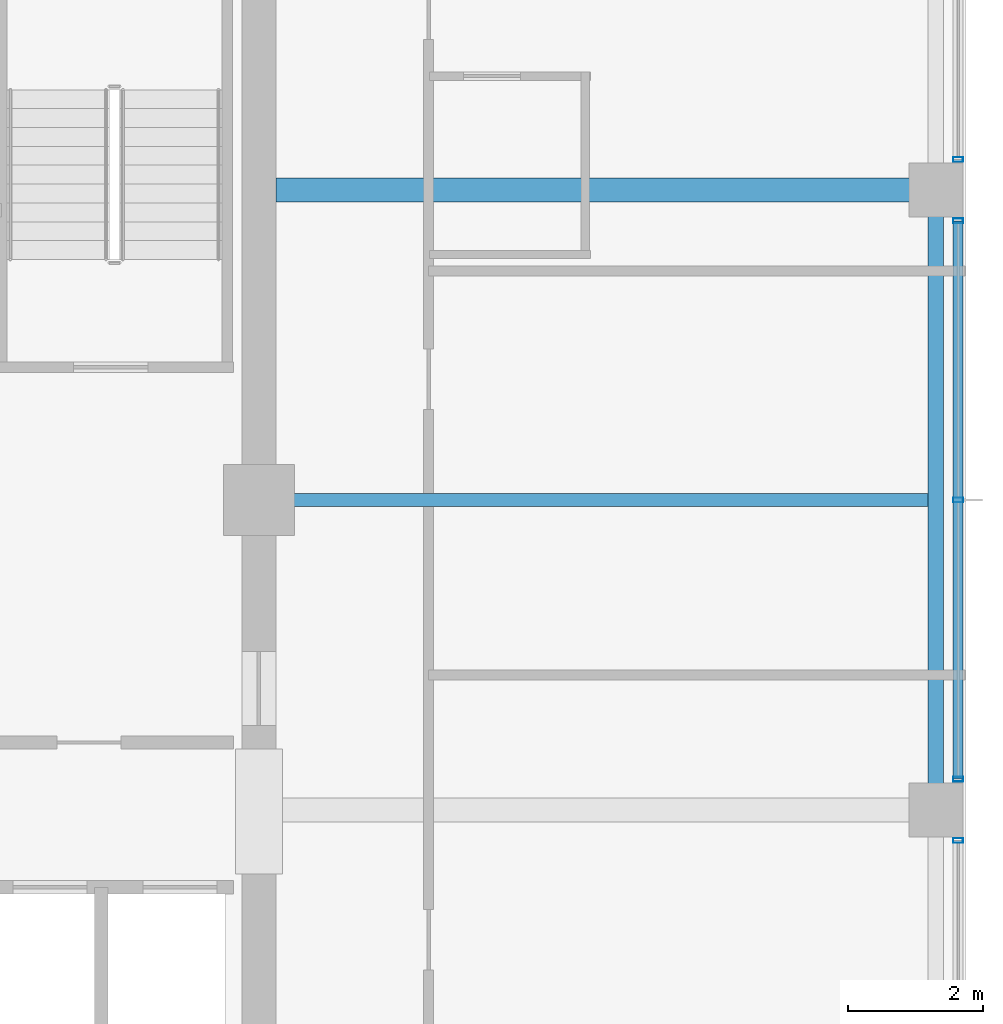
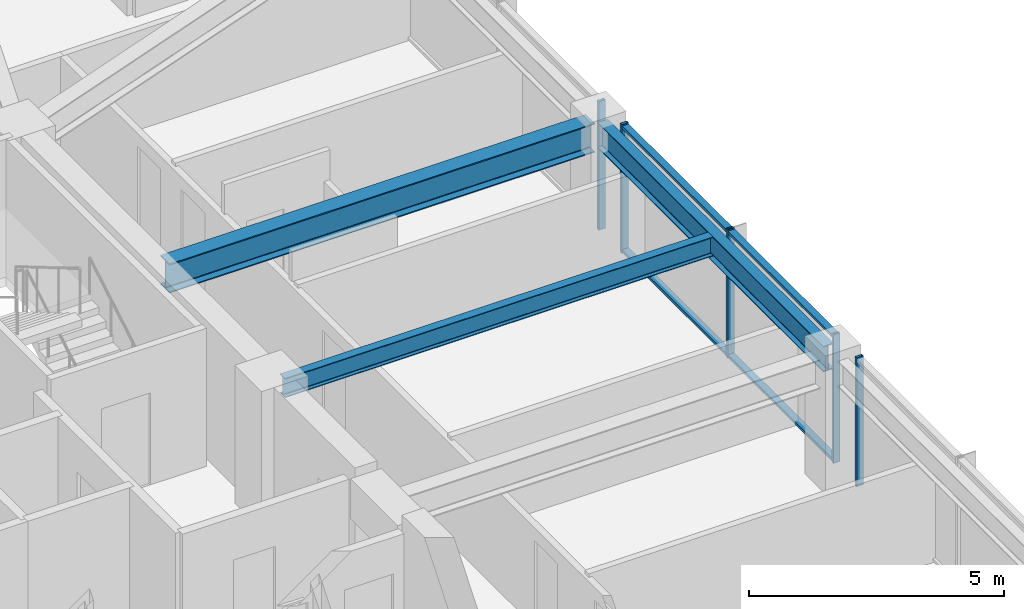
# One storey, part 13 of 36: 7 members, 3 beams, 3 elements without a shape of their own.
"""IFC4 building model written with IfcOpenShell, lengths in metres."""

from ifc_helpers import new_model, si_unit, direction, frame, origin, origin_2d, place, context, subcontext, project, spatial, hollow_rectangle, i_section, extrude, material, material_profile, profile_set, type_object, element, aggregate, save


model = new_model("IFC4")

# Units and contexts
model_context = context("Model", 3, precision=1e-05, world=origin(), true_north=direction((0.0, 1.0)))
body_context = subcontext(model_context, "Body", "Model", "MODEL_VIEW")
ifc_project = project(units=[si_unit("LENGTHUNIT", "METRE"), si_unit("AREAUNIT", "SQUARE_METRE"), si_unit("VOLUMEUNIT", "CUBIC_METRE"), si_unit("PLANEANGLEUNIT", "RADIAN"), si_unit("MASSUNIT", "GRAM", prefix="KILO")], contexts=[model_context])

# Site, building, storey
site_placement = place(None, origin())
site = spatial("IfcSite", under=ifc_project, at=site_placement, CompositionType="ELEMENT")
building_placement = place(site_placement, origin())
building = spatial("IfcBuilding", under=site, at=building_placement, Name="Kolvaren Belvedere", CompositionType="ELEMENT")
storey_placement = place(building_placement, frame((0.0, 0.0, 193.199951171875)))
storey = spatial("IfcBuildingStorey", under=building, at=storey_placement, Name="L56", CompositionType="ELEMENT", Elevation=193.199951171875)

# Beams
ifc_material_1 = material(Name="Structural steel ASTM A992 Grade 50", Category="steel")
ifc_material_profile_1 = material_profile(ifc_material_1, i_section(OverallWidth=0.35498046875, OverallDepth=0.696044921875, WebThickness=0.015380859375, FlangeThickness=0.02490234375, FilletRadius=0.02197265625, at=origin_2d()), Name="W27X146")
ifc_profile_set_1 = profile_set([ifc_material_profile_1], Name="Structural steel ASTM A992 Grade 50")
beam_type_1 = type_object("IfcBeamType", Name="BM-GIRD-W27X146", PredefinedType="BEAM", material=ifc_profile_set_1)
beam_1_placement = place(storey_placement, frame((10.14990234375, 4.60009765625, 2.73193359375), z_axis=(1.0, 0.0, 0.0), x_axis=(0.0, 1.0, 0.0)))
element("IfcBeam", 1, at=beam_1_placement, inside=storey, type_object=beam_type_1, Name="L56 East Radial Girder P", PredefinedType="BEAM", context=body_context, shape_type="SweptSolid", body=[
    extrude(i_section(OverallWidth=0.35498046875, OverallDepth=0.696044921875, WebThickness=0.015380859375, FlangeThickness=0.02490234375, FilletRadius=0.02197265625, at=origin_2d()), origin(), (0.0, 0.0, 1.0), 9.6201171875),
])
ifc_material_2 = material(Name="Structural steel ASTM A992 Grade 50", Category="steel")
ifc_material_profile_2 = material_profile(ifc_material_2, i_section(OverallWidth=0.19091796875, OverallDepth=0.4599609375, WebThickness=0.010009765625, FlangeThickness=0.01611328125, FilletRadius=0.014892578125, at=origin_2d()), Name="W18X55")
ifc_profile_set_2 = profile_set([ifc_material_profile_2], Name="Structural steel ASTM A992 Grade 50")
beam_type_2 = type_object("IfcBeamType", Name="BM-JOIST-W18X55", PredefinedType="BEAM", material=ifc_profile_set_2)
beam_2_placement = place(storey_placement, frame((10.14990234375, 0.0, 2.85009765625), z_axis=(1.0, 0.0, 0.0), x_axis=(0.0, 1.0, 0.0)))
element("IfcBeam", 2, at=beam_2_placement, inside=storey, type_object=beam_type_2, Name="L56 East Centre Floor Beam", PredefinedType="BEAM", context=body_context, shape_type="SweptSolid", body=[
    extrude(i_section(OverallWidth=0.19091796875, OverallDepth=0.4599609375, WebThickness=0.010009765625, FlangeThickness=0.01611328125, FilletRadius=0.014892578125, at=origin_2d()), origin(), (0.0, 0.0, 1.0), 9.685546875),
])
ifc_material_3 = material(Name="Structural steel ASTM A992 Grade 50", Category="steel")
ifc_material_profile_3 = material_profile(ifc_material_3, i_section(OverallWidth=0.22900390625, OverallDepth=0.612060546875, WebThickness=0.011962890625, FlangeThickness=0.01953125, FilletRadius=0.01806640625, at=origin_2d()), Name="W24X84")
ifc_profile_set_3 = profile_set([ifc_material_profile_3], Name="Structural steel ASTM A992 Grade 50")
beam_type_3 = type_object("IfcBeamType", Name="BM-SPAN-W24X84", PredefinedType="SPANDREL", material=ifc_profile_set_3)
beam_3_placement = place(storey_placement, frame((19.949951171875, -4.419921875, 2.774169921875), z_axis=(0.0, 1.0, 0.0), x_axis=(-1.0, 0.0, 0.0)))
element("IfcBeam", 3, at=beam_3_placement, inside=storey, type_object=beam_type_3, Name="L56 Perimeter Spandrel E2-E3", PredefinedType="SPANDREL", context=body_context, shape_type="SweptSolid", body=[
    extrude(i_section(OverallWidth=0.22900390625, OverallDepth=0.612060546875, WebThickness=0.011962890625, FlangeThickness=0.01953125, FilletRadius=0.01806640625, at=origin_2d()), origin(), (0.0, 0.0, 1.0), 8.83984375),
])

# Curtain wall, member
ifc_material_4 = material(Name="Anodised pale-metal aluminium AA 6063-T6", Category="aluminium")
curtain_wall_type = type_object("IfcCurtainWallType", Name="CW-Z5-HIGH", PredefinedType="NOTDEFINED", material=ifc_material_4)
curtain_wall_1_placement = place(storey_placement, origin())
curtain_wall_1 = element("IfcCurtainWall", 4, at=curtain_wall_1_placement, inside=storey, type_object=curtain_wall_type, Name="L56 Unitised Curtain Wall FCW-L56-E-B1", PredefinedType="NOTDEFINED")
ifc_material_5 = material(Name="Anodised pale-metal aluminium AA 6063-T6", Category="aluminium")
ifc_material_profile_4 = material_profile(ifc_material_5, hollow_rectangle(XDim=0.070068359375, YDim=0.14990234375, WallThickness=0.004150390625, at=origin_2d()), Name="ALU-MUL-150X70")
ifc_profile_set_4 = profile_set([ifc_material_profile_4], Name="Anodised pale-metal aluminium AA 6063-T6")
member_type_1 = type_object("IfcMemberType", Name="CW-MUL-150", PredefinedType="MULLION", material=ifc_profile_set_4)
member_1_placement = place(storey_placement, frame((20.280029296875, 5.054931640625, 0.0), z_axis=(0.0, 0.0, 1.0), x_axis=(0.0, 1.0, 0.0)))
member_1 = element("IfcMember", 5, at=member_1_placement, type_object=member_type_1, Name="FCW-L56-E-B1 Unitised Mullion 3", PredefinedType="MULLION", context=body_context, shape_type="SweptSolid", body=[
    extrude(hollow_rectangle(XDim=0.070068359375, YDim=0.14990234375, WallThickness=0.004150390625, at=origin_2d()), origin(), (0.0, 0.0, 1.0), 3.080078125),
])
aggregate(curtain_wall_1, [member_1])

# Curtain wall, members
curtain_wall_2_placement = place(storey_placement, origin())
curtain_wall_2 = element("IfcCurtainWall", 6, at=curtain_wall_2_placement, inside=storey, type_object=curtain_wall_type, Name="L56 Unitised Curtain Wall FCW-L56-E-B2", PredefinedType="NOTDEFINED")
member_2_placement = place(storey_placement, frame((20.280029296875, 4.14501953125, 0.0), z_axis=(0.0, 0.0, 1.0), x_axis=(0.0, 1.0, 0.0)))
member_2 = element("IfcMember", 7, at=member_2_placement, type_object=member_type_1, Name="FCW-L56-E-B2 Unitised Mullion 1", PredefinedType="MULLION", context=body_context, shape_type="SweptSolid", body=[
    extrude(hollow_rectangle(XDim=0.070068359375, YDim=0.14990234375, WallThickness=0.004150390625, at=origin_2d()), origin(), (0.0, 0.0, 1.0), 3.080078125),
])
member_3_placement = place(storey_placement, frame((20.280029296875, 0.0, 0.0), z_axis=(0.0, 0.0, 1.0), x_axis=(0.0, 1.0, 0.0)))
member_3 = element("IfcMember", 8, at=member_3_placement, type_object=member_type_1, Name="FCW-L56-E-B2 Unitised Mullion 2", PredefinedType="MULLION", context=body_context, shape_type="SweptSolid", body=[
    extrude(hollow_rectangle(XDim=0.070068359375, YDim=0.14990234375, WallThickness=0.004150390625, at=origin_2d()), origin(), (0.0, 0.0, 1.0), 3.080078125),
])
member_4_placement = place(storey_placement, frame((20.280029296875, -4.14501953125, 0.0), z_axis=(0.0, 0.0, 1.0), x_axis=(0.0, 1.0, 0.0)))
member_4 = element("IfcMember", 9, at=member_4_placement, type_object=member_type_1, Name="FCW-L56-E-B2 Unitised Mullion 3", PredefinedType="MULLION", context=body_context, shape_type="SweptSolid", body=[
    extrude(hollow_rectangle(XDim=0.070068359375, YDim=0.14990234375, WallThickness=0.004150390625, at=origin_2d()), origin(), (0.0, 0.0, 1.0), 3.080078125),
])

# Curtain wall, member
curtain_wall_3_placement = place(storey_placement, origin())
curtain_wall_3 = element("IfcCurtainWall", 10, at=curtain_wall_3_placement, inside=storey, type_object=curtain_wall_type, Name="L56 Unitised Curtain Wall FCW-L56-E-B3", PredefinedType="NOTDEFINED")
member_5_placement = place(storey_placement, frame((20.280029296875, -5.054931640625, 0.0), z_axis=(0.0, 0.0, 1.0), x_axis=(0.0, 1.0, 0.0)))
member_5 = element("IfcMember", 11, at=member_5_placement, type_object=member_type_1, Name="FCW-L56-E-B3 Unitised Mullion 1", PredefinedType="MULLION", context=body_context, shape_type="SweptSolid", body=[
    extrude(hollow_rectangle(XDim=0.070068359375, YDim=0.14990234375, WallThickness=0.004150390625, at=origin_2d()), origin(), (0.0, 0.0, 1.0), 3.080078125),
])
aggregate(curtain_wall_3, [member_5])

# Member
ifc_material_6 = material(Name="Anodised pale-metal aluminium AA 6063-T6", Category="aluminium")
ifc_material_profile_5 = material_profile(ifc_material_6, hollow_rectangle(XDim=0.06494140625, YDim=0.14990234375, WallThickness=0.00390625, at=origin_2d()), Name="ALU-TRN-150X65")
ifc_profile_set_5 = profile_set([ifc_material_profile_5], Name="Anodised pale-metal aluminium AA 6063-T6")
member_type_2 = type_object("IfcMemberType", Name="CW-TRN-150", PredefinedType="USERDEFINED", material=ifc_profile_set_5)
member_6_placement = place(storey_placement, frame((20.280029296875, 4.14501953125, 0.06005859375), z_axis=(0.0, -1.0, 0.0), x_axis=(0.0, 0.0, 1.0)))
member_6 = element("IfcMember", 12, at=member_6_placement, type_object=member_type_2, Name="FCW-L56-E-B2 Sill Transom", ObjectType="TRANSOM", PredefinedType="USERDEFINED", context=body_context, shape_type="SweptSolid", body=[
    extrude(hollow_rectangle(XDim=0.06494140625, YDim=0.14990234375, WallThickness=0.00390625, at=origin_2d()), origin(), (0.0, 0.0, 1.0), 8.2900390625),
])

member_7_placement = place(storey_placement, frame((20.280029296875, 4.14501953125, 3.02001953125), z_axis=(0.0, -1.0, 0.0), x_axis=(0.0, 0.0, 1.0)))
member_7 = element("IfcMember", 13, at=member_7_placement, type_object=member_type_2, Name="FCW-L56-E-B2 Head Transom", ObjectType="TRANSOM", PredefinedType="USERDEFINED", context=body_context, shape_type="SweptSolid", body=[
    extrude(hollow_rectangle(XDim=0.06494140625, YDim=0.14990234375, WallThickness=0.00390625, at=origin_2d()), origin(), (0.0, 0.0, 1.0), 8.2900390625),
])

aggregate(curtain_wall_2, [member_2, member_3, member_4, member_6, member_7])

save(model, "model.ifc")
